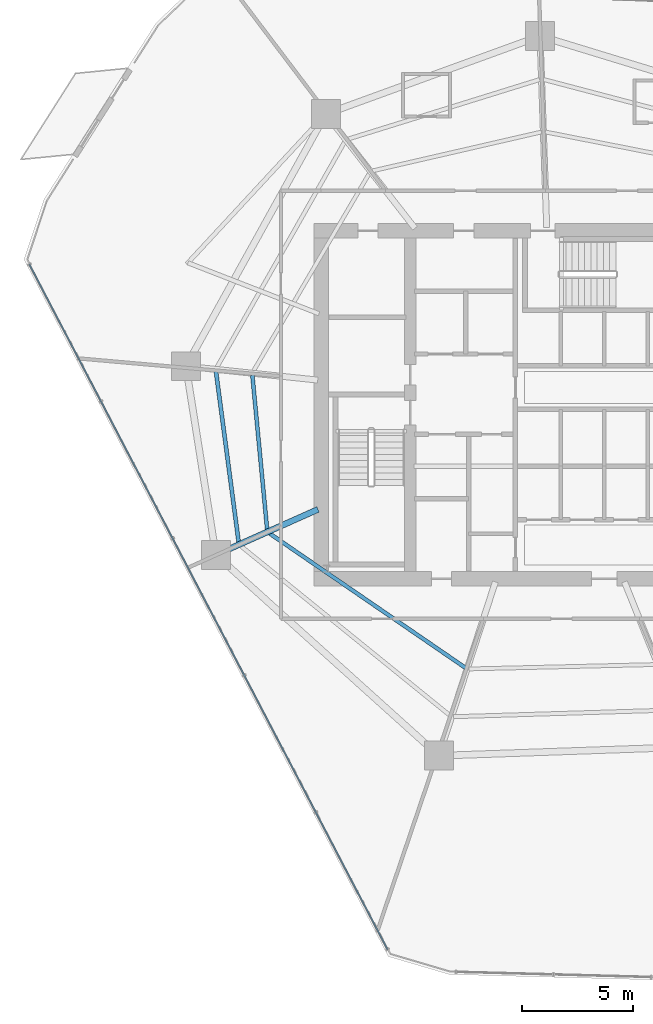
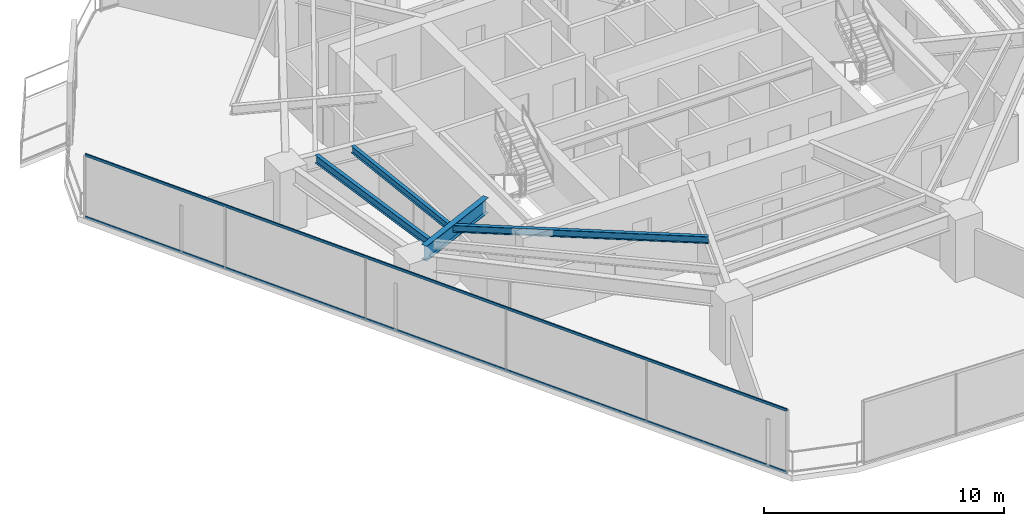
# One storey, part 8 of 30: 4 beams, 2 members, 1 element without a shape of its own.
"""IFC4 building model written with IfcOpenShell, lengths in metres."""

from ifc_helpers import new_model, si_unit, direction, frame, origin, origin_2d, place, context, subcontext, project, spatial, hollow_rectangle, i_section, extrude, material, layer, layer_set, material_profile, profile_set, type_object, element, aggregate, save


model = new_model("IFC4")

# Units and contexts
model_context = context("Model", 3, precision=1e-05, world=origin(), true_north=direction((0.0, 1.0)))
body_context = subcontext(model_context, "Body", "Model", "MODEL_VIEW")
ifc_project = project(units=[si_unit("LENGTHUNIT", "METRE"), si_unit("AREAUNIT", "SQUARE_METRE"), si_unit("VOLUMEUNIT", "CUBIC_METRE"), si_unit("PLANEANGLEUNIT", "RADIAN"), si_unit("MASSUNIT", "GRAM", prefix="KILO")], contexts=[model_context])

# Site, building, storey
site_placement = place(None, origin())
site = spatial("IfcSite", under=ifc_project, at=site_placement, CompositionType="ELEMENT")
building_placement = place(site_placement, origin())
building = spatial("IfcBuilding", under=site, at=building_placement, Name="Qarnah Convention Tower", CompositionType="ELEMENT")
storey_placement = place(building_placement, frame((0.0, 0.0, 58.050048828125)))
storey = spatial("IfcBuildingStorey", under=building, at=storey_placement, Name="L14", CompositionType="ELEMENT", Elevation=58.050048828125)

# Beams
ifc_material_1 = material(Name="Structural steel S355JR", Category="steel")
ifc_material_profile_1 = material_profile(ifc_material_1, i_section(OverallWidth=0.172119140625, OverallDepth=0.35595703125, WebThickness=0.007080078125, FlangeThickness=0.011962890625, at=origin_2d()), Name="W360X51")
ifc_profile_set_1 = profile_set([ifc_material_profile_1], Name="Structural steel S355JR")
beam_type_1 = type_object("IfcBeamType", Name="BM-JST-W360", PredefinedType="JOIST", material=ifc_profile_set_1)
beam_1_placement = place(storey_placement, frame((23.718994140625, 27.72802734375, 2.991943359375), z_axis=(0.095390779358, -0.995439902361, 0.0), x_axis=(0.995439902361, 0.095390779358, 0.0)))
element("IfcBeam", 1, at=beam_1_placement, inside=storey, type_object=beam_type_1, Name="L14 joist BM-L14-IJST-05", PredefinedType="JOIST", context=body_context, shape_type="SweptSolid", body=[
    extrude(i_section(OverallWidth=0.172119140625, OverallDepth=0.35595703125, WebThickness=0.007080078125, FlangeThickness=0.011962890625, at=origin_2d()), origin(), (0.0, 0.0, 1.0), 6.9716796875),
])
beam_2_placement = place(storey_placement, frame((24.467041015625, 20.64697265625, 2.991943359375), z_axis=(0.824529031088, -0.565819650501, 0.0), x_axis=(0.565819650501, 0.824529031088, 0.0)))
element("IfcBeam", 2, at=beam_2_placement, inside=storey, type_object=beam_type_1, Name="L14 joist BM-L14-IJST-06", PredefinedType="JOIST", context=body_context, shape_type="SweptSolid", body=[
    extrude(i_section(OverallWidth=0.172119140625, OverallDepth=0.35595703125, WebThickness=0.007080078125, FlangeThickness=0.011962890625, at=origin_2d()), origin(), (0.0, 0.0, 1.0), 10.68359375),
])
ifc_material_profile_2 = material_profile(ifc_material_1, i_section(OverallWidth=0.177978515625, OverallDepth=0.407958984375, WebThickness=0.008056640625, FlangeThickness=0.012939453125, at=origin_2d()), Name="W410X60")
ifc_profile_set_2 = profile_set([ifc_material_profile_2], Name="Structural steel S355JR")
beam_type_2 = type_object("IfcBeamType", Name="BM-JST-W410", PredefinedType="JOIST", material=ifc_profile_set_2)
beam_3_placement = place(storey_placement, frame((22.0859375, 27.90087890625, 2.966064453125), z_axis=(0.131767448728, -0.99128065625, 0.0), x_axis=(0.99128065625, 0.131767448728, 0.0)))
element("IfcBeam", 3, at=beam_3_placement, inside=storey, type_object=beam_type_2, Name="L14 joist BM-L14-SJST-05", PredefinedType="JOIST", context=body_context, shape_type="SweptSolid", body=[
    extrude(i_section(OverallWidth=0.177978515625, OverallDepth=0.407958984375, WebThickness=0.008056640625, FlangeThickness=0.012939453125, at=origin_2d()), origin(), (0.0, 0.0, 1.0), 7.74853515625),
])
ifc_material_profile_3 = material_profile(ifc_material_1, i_section(OverallWidth=0.26806640625, OverallDepth=0.760009765625, WebThickness=0.014892578125, FlangeThickness=0.02197265625, at=origin_2d()), Name="W760X185")
ifc_profile_set_3 = profile_set([ifc_material_profile_3], Name="Structural steel S355JR")
beam_type_3 = type_object("IfcBeamType", Name="BM-RAD-W760", PredefinedType="BEAM", material=ifc_profile_set_3)
beam_4_placement = place(storey_placement, frame((26.6630859375, 21.708984375, 2.7900390625), z_axis=(-0.913519753242, -0.406794371195, 0.0), x_axis=(0.406794371195, -0.913519753242, 0.0)))
element("IfcBeam", 4, at=beam_4_placement, inside=storey, type_object=beam_type_3, Name="L14 beam BM-L14-RAD-06", PredefinedType="BEAM", context=body_context, shape_type="SweptSolid", body=[
    extrude(i_section(OverallWidth=0.26806640625, OverallDepth=0.760009765625, WebThickness=0.014892578125, FlangeThickness=0.02197265625, at=origin_2d()), origin(), (0.0, 0.0, 1.0), 4.38525390625),
])

# Curtain wall, members
ifc_material_2 = material(Name="Tempered Low-E dark glass", Category="glass")
ifc_layer = layer(ifc_material_2, 0.16796875)
ifc_layer_set = layer_set([ifc_layer], Name="Tempered Low-E dark glass")
curtain_wall_type = type_object("IfcCurtainWallType", Name="CWS-01", PredefinedType="NOTDEFINED", material=ifc_layer_set)
curtain_wall_placement = place(storey_placement, origin())
curtain_wall = element("IfcCurtainWall", 5, at=curtain_wall_placement, inside=storey, type_object=curtain_wall_type, Name="L14 unitised curtain wall CW-L14-F1", PredefinedType="NOTDEFINED")
ifc_material_3 = material(Name="Black anodised aluminium", Category="aluminium")
ifc_material_profile_4 = material_profile(ifc_material_3, hollow_rectangle(XDim=0.06005859375, YDim=0.1298828125, WallThickness=0.00390625, at=origin_2d()), Name="TRN-60X130")
ifc_profile_set_4 = profile_set([ifc_material_profile_4], Name="Black anodised aluminium")
member_type = type_object("IfcMemberType", Name="TRN-T1", PredefinedType="USERDEFINED", material=ifc_profile_set_4)
member_1_placement = place(storey_placement, frame((29.782958984375, 1.971923828125, 0.0), z_axis=(-0.463289146625, 0.886207180415, 0.0), x_axis=(-0.886207180415, -0.463289146625, 0.0)))
member_1 = element("IfcMember", 6, at=member_1_placement, type_object=member_type, Name="CW-L14-F1 transom 1", ObjectType="TRANSOM", PredefinedType="USERDEFINED", context=body_context, shape_type="SweptSolid", body=[
    extrude(hollow_rectangle(XDim=0.06005859375, YDim=0.1298828125, WallThickness=0.00390625, at=origin_2d()), origin(), (0.0, 0.0, 1.0), 34.67578125),
])
member_2_placement = place(storey_placement, frame((29.782958984375, 1.971923828125, 3.169921875), z_axis=(-0.463289146625, 0.886207180415, 0.0), x_axis=(-0.886207180415, -0.463289146625, 0.0)))
member_2 = element("IfcMember", 7, at=member_2_placement, type_object=member_type, Name="CW-L14-F1 transom 2", ObjectType="TRANSOM", PredefinedType="USERDEFINED", context=body_context, shape_type="SweptSolid", body=[
    extrude(hollow_rectangle(XDim=0.06005859375, YDim=0.1298828125, WallThickness=0.00390625, at=origin_2d()), origin(), (0.0, 0.0, 1.0), 34.67578125),
])
aggregate(curtain_wall, [member_1, member_2])

save(model, "model.ifc")
